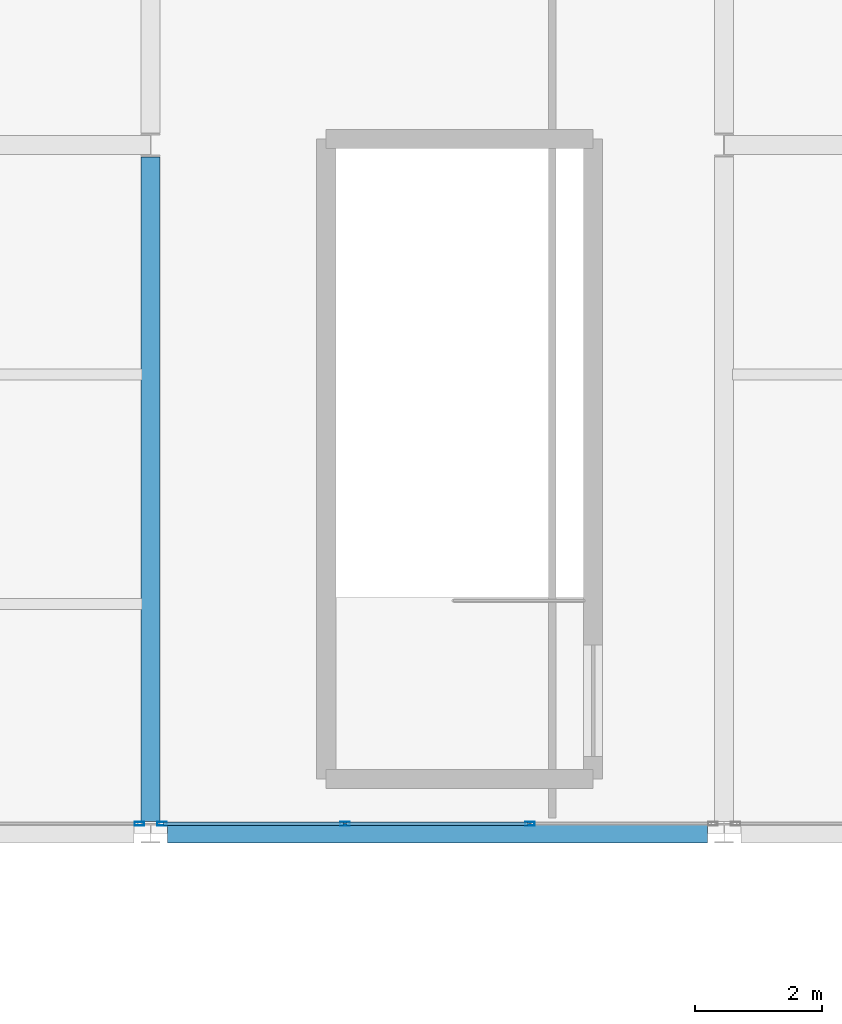
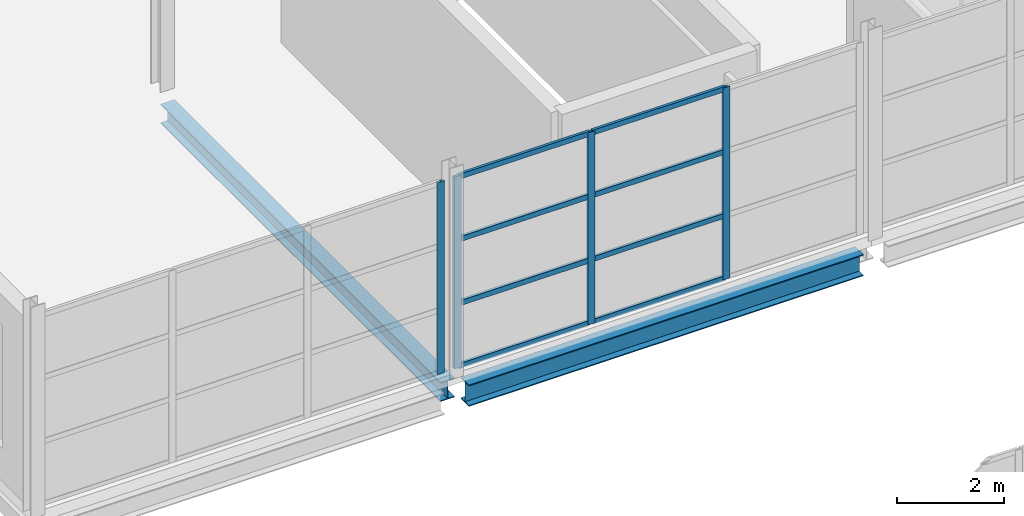
# One storey, part 43 of 134: 12 members, 2 beams, 2 elements without a shape of their own.
"""IFC4 building model written with IfcOpenShell, lengths in metres."""

import ifcopenshell
import ifcopenshell.guid

model = None  # the IFC model being written
_history = None  # IfcOwnerHistory: only IFC2X3 demands one
_inside = {}  # id of a spatial element -> (the spatial element, [elements in it])
_under = {}  # id of a project, library or spatial element -> (it, [spatial elements below it])
_declared = {}  # id of a project -> (the project, [libraries it declares])
_typed = {}  # id of a type object -> (the type object, [elements of that type])
_made_of = {}  # id of a material, layer set ... -> (it, [elements and type objects made of it])


def new_model(schema):
    """Start an empty IFC model of exactly this schema.

    Asked for "IFC4X3", IfcOpenShell would pick the latest addendum, in which some entities
    have other attributes; the version numbers below select the first issue.
    IFC2X3 requires an IfcOwnerHistory on every rooted entity: one is made here for all.
    """
    global model, _history
    if schema == "IFC4X3":
        model = ifcopenshell.file(schema_version=(4, 3, 0, 0))
    else:
        model = ifcopenshell.file(schema=schema)
    _inside.clear()
    _under.clear()
    _declared.clear()
    _typed.clear()
    _made_of.clear()
    _history = None
    if model.schema == "IFC2X3":
        org = make("IfcOrganization", Name="unknown")
        user = make(
            "IfcPersonAndOrganization",
            ThePerson=make("IfcPerson", FamilyName="unknown"),
            TheOrganization=org,
        )
        app = make(
            "IfcApplication",
            ApplicationDeveloper=org,
            Version="unknown",
            ApplicationFullName="unknown",
            ApplicationIdentifier="unknown",
        )
        _history = make(
            "IfcOwnerHistory",
            OwningUser=user,
            OwningApplication=app,
            ChangeAction="ADDED",
            CreationDate=0,
        )
    return model


def make(cls, **values):
    """One entity of the class cls with the attributes given. An attribute that is None is left unset."""
    return model.create_entity(
        cls, **{name: value for name, value in values.items() if value is not None}
    )


def rooted(cls, **values):
    """An entity with a GlobalId (a new one), such as an element, a storey or a relation."""
    return make(cls, GlobalId=ifcopenshell.guid.new(), OwnerHistory=_history, **values)


def si_unit(unit_type, name, prefix=None):
    """IfcSIUnit, for example si_unit("LENGTHUNIT", "METRE", prefix="MILLI")."""
    return make("IfcSIUnit", UnitType=unit_type, Prefix=prefix, Name=name)


def assignment(units):
    """IfcUnitAssignment: the units of a project."""
    return None if units is None else make("IfcUnitAssignment", Units=units)


def point(xyz):
    """IfcCartesianPoint."""
    return None if xyz is None else make("IfcCartesianPoint", Coordinates=xyz)


def direction(xyz):
    """IfcDirection."""
    return None if xyz is None else make("IfcDirection", DirectionRatios=xyz)


def frame(location, z_axis=None, x_axis=None):
    """IfcAxis2Placement3D, a coordinate frame: its origin and axes. An axis left out is left unset."""
    return make(
        "IfcAxis2Placement3D",
        Location=point(location),
        Axis=direction(z_axis),
        RefDirection=direction(x_axis),
    )


def frame_2d(location, x_axis=None):
    """IfcAxis2Placement2D, a coordinate frame in the plane: its origin and x axis."""
    return make(
        "IfcAxis2Placement2D", Location=point(location), RefDirection=direction(x_axis)
    )


def origin():
    """The frame at (0, 0, 0) with its axes left unset."""
    return frame((0.0, 0.0, 0.0))


def origin_2d():
    """The frame at (0, 0) in the plane with its x axis left unset."""
    return frame_2d((0.0, 0.0))


def place(relative_to, where):
    """IfcLocalPlacement: puts the frame where relative to a parent placement (None: the world)."""
    return make(
        "IfcLocalPlacement", PlacementRelTo=relative_to, RelativePlacement=where
    )


def context(
    kind, dimensions, precision=None, world=None, true_north=None, identifier=None
):
    """IfcGeometricRepresentationContext, for example the 3D "Model" context."""
    return make(
        "IfcGeometricRepresentationContext",
        ContextIdentifier=identifier,
        ContextType=kind,
        CoordinateSpaceDimension=dimensions,
        Precision=precision,
        WorldCoordinateSystem=world,
        TrueNorth=true_north,
    )


def subcontext(parent, identifier, kind, view, scale=None):
    """IfcGeometricRepresentationSubContext, for example "Body" below "Model"."""
    return make(
        "IfcGeometricRepresentationSubContext",
        ContextIdentifier=identifier,
        ContextType=kind,
        ParentContext=parent,
        TargetScale=scale,
        TargetView=view,
    )


def project(units=None, contexts=None):
    """IfcProject with its units and contexts."""
    return rooted(
        "IfcProject",
        Name="project",
        RepresentationContexts=contexts,
        UnitsInContext=assignment(units),
    )


def spatial(cls, under=None, at=None, **own):
    """A site, building, storey or space (cls), placed at a placement, below another one or the project."""
    s = rooted(cls, ObjectPlacement=at, **own)
    if under is not None:
        _under.setdefault(under.id(), (under, []))[1].append(s)
    return s


def profile(cls, at=None, kind="AREA", **sizes):
    """A parametric profile (cls). Its sizes go by their IFC names, for example OverallWidth=200.0."""
    return make(cls, ProfileType=kind, Position=at, **sizes)


def hollow_rectangle(**sizes):
    """IfcRectangleHollowProfileDef."""
    return profile("IfcRectangleHollowProfileDef", **sizes)


def i_section(**sizes):
    """IfcIShapeProfileDef."""
    return profile("IfcIShapeProfileDef", **sizes)


def extrude(swept, where, along, depth):
    """IfcExtrudedAreaSolid: the profile swept, set in the frame where, extruded along a direction by depth."""
    return make(
        "IfcExtrudedAreaSolid",
        SweptArea=swept,
        Position=where,
        ExtrudedDirection=direction(along),
        Depth=depth,
    )


def shape(context_of_items, identifier, shape_type, items):
    """IfcShapeRepresentation: the items that make up one representation, for example the "Body"."""
    return make(
        "IfcShapeRepresentation",
        ContextOfItems=context_of_items,
        RepresentationIdentifier=identifier,
        RepresentationType=shape_type,
        Items=items,
    )


def material(Name=None, Category=None):
    """IfcMaterial."""
    return make("IfcMaterial", Name=Name, Category=Category)


def layer(
    of_material, thickness, ventilated=None, Name=None, Category=None, Priority=None
):
    """IfcMaterialLayer: one layer of a wall or slab, of a material (None: an air gap)."""
    return make(
        "IfcMaterialLayer",
        Material=of_material,
        LayerThickness=thickness,
        IsVentilated=ventilated,
        Name=Name,
        Category=Category,
        Priority=Priority,
    )


def layer_set(layers, Name=None):
    """IfcMaterialLayerSet."""
    return make("IfcMaterialLayerSet", MaterialLayers=layers, LayerSetName=Name)


def material_profile(
    of_material, cross_section, Name=None, Category=None, Priority=None
):
    """IfcMaterialProfile: a cross section and its material."""
    return make(
        "IfcMaterialProfile",
        Name=Name,
        Material=of_material,
        Profile=cross_section,
        Priority=Priority,
        Category=Category,
    )


def profile_set(profiles, Name=None, composite=None):
    """IfcMaterialProfileSet."""
    return make(
        "IfcMaterialProfileSet",
        Name=Name,
        MaterialProfiles=profiles,
        CompositeProfile=composite,
    )


def made_of(thing, what):
    """Note that an element or type object is made of a material, layer set ...; save() writes the relation."""
    if what is not None:
        _made_of.setdefault(what.id(), (what, []))[1].append(thing)
    return thing


def type_object(cls, material=None, **own):
    """A type object (cls), such as IfcWallType, which elements share."""
    return made_of(rooted(cls, **own), material)


def element(
    cls,
    number,
    at=None,
    inside=None,
    cuts=None,
    type_object=None,
    material=None,
    context=None,
    identifier="Body",
    shape_type=None,
    held_by="IfcProductDefinitionShape",
    body=None,
    shapes=None,
    **own,
):
    """One element of the class cls, such as IfcWall. Its Tag is "e" and its number.

    at: its placement. inside: the storey or other place that contains it. cuts: it is an
    opening in that element (IfcRelVoidsElement). A single representation is given by context,
    identifier, shape_type and body (its items); several are given by shapes. held_by: the class
    of the entity that holds the representations. save() writes the other relations.
    """
    e = rooted(cls, Tag="e%d" % number, ObjectPlacement=at, **own)
    if body is not None:
        shapes = [shape(context, identifier, shape_type, body)]
    if shapes is not None:
        e.Representation = make(held_by, Representations=shapes)
    if inside is not None:
        _inside.setdefault(inside.id(), (inside, []))[1].append(e)
    if cuts is not None:
        rooted(
            "IfcRelVoidsElement", RelatingBuildingElement=cuts, RelatedOpeningElement=e
        )
    if type_object is not None:
        _typed.setdefault(type_object.id(), (type_object, []))[1].append(e)
    return made_of(e, material)


def aggregate(whole, parts):
    """IfcRelAggregates: a whole, such as a stair, and the parts it consists of."""
    return rooted("IfcRelAggregates", RelatingObject=whole, RelatedObjects=parts)


def save(model, path):
    """Write the relations noted so far, then the file.

    IfcRelAggregates (storeys below a building ...), IfcRelContainedInSpatialStructure (elements
    in a storey), IfcRelDefinesByType, IfcRelAssociatesMaterial and IfcRelDeclares: one each for
    every whole, place, type object, material and project.
    """
    for whole, parts in _under.values():
        aggregate(whole, parts)
    for where, things in _inside.values():
        rooted(
            "IfcRelContainedInSpatialStructure",
            RelatedElements=things,
            RelatingStructure=where,
        )
    for kind, things in _typed.values():
        rooted("IfcRelDefinesByType", RelatedObjects=things, RelatingType=kind)
    for what, things in _made_of.values():
        rooted("IfcRelAssociatesMaterial", RelatedObjects=things, RelatingMaterial=what)
    for by, libraries in _declared.values():
        rooted("IfcRelDeclares", RelatingContext=by, RelatedDefinitions=libraries)
    model.write(path)


model = new_model("IFC4")

# Units and contexts
model_context = context("Model", 3, precision=1e-05, world=origin(), true_north=direction((0.0, 1.0)))
body_context = subcontext(model_context, "Body", "Model", "MODEL_VIEW")
ifc_project = project(units=[si_unit("LENGTHUNIT", "METRE"), si_unit("AREAUNIT", "SQUARE_METRE"), si_unit("VOLUMEUNIT", "CUBIC_METRE"), si_unit("PLANEANGLEUNIT", "RADIAN"), si_unit("MASSUNIT", "GRAM", prefix="KILO")], contexts=[model_context])

# Site, building, storey
site_placement = place(None, origin())
site = spatial("IfcSite", under=ifc_project, at=site_placement, CompositionType="ELEMENT")
building_placement = place(site_placement, origin())
building = spatial("IfcBuilding", under=site, at=building_placement, Name="Tamarisk Ironworks Central Station", CompositionType="ELEMENT")
storey_placement = place(building_placement, frame((0.0, 0.0, 12.60009765625)))
storey = spatial("IfcBuildingStorey", under=building, at=storey_placement, Name="L02", CompositionType="ELEMENT", Elevation=12.60009765625)

# Beams
ifc_material_1 = material(Name="Structural steel S355J2", Category="steel")
ifc_material_profile_1 = material_profile(ifc_material_1, i_section(OverallWidth=0.300048828125, OverallDepth=0.489990234375, WebThickness=0.011962890625, FlangeThickness=0.02294921875, at=origin_2d()), Name="HEA 500")
ifc_profile_set_1 = profile_set([ifc_material_profile_1], Name="Structural steel S355J2")
beam_type_1 = type_object("IfcBeamType", Name="BM-G05", PredefinedType="BEAM", material=ifc_profile_set_1)
beam_1_placement = place(storey_placement, frame((9.262939453125, 90.0, -0.4951171875), z_axis=(1.0, 0.0, 0.0), x_axis=(0.0, 1.0, 0.0)))
element("IfcBeam", 1, at=beam_1_placement, inside=storey, type_object=beam_type_1, Name="L02 primary girder X-0369", PredefinedType="BEAM", context=body_context, shape_type="SweptSolid", body=[
    extrude(i_section(OverallWidth=0.300048828125, OverallDepth=0.489990234375, WebThickness=0.011962890625, FlangeThickness=0.02294921875, at=origin_2d()), origin(), (0.0, 0.0, 1.0), 8.47412109375),
])
ifc_material_profile_2 = material_profile(ifc_material_1, i_section(OverallWidth=0.300048828125, OverallDepth=0.43994140625, WebThickness=0.011474609375, FlangeThickness=0.02099609375, at=origin_2d()), Name="HEA 450")
ifc_profile_set_2 = profile_set([ifc_material_profile_2], Name="Structural steel S355J2")
beam_type_2 = type_object("IfcBeamType", Name="BM-G06", PredefinedType="BEAM", material=ifc_profile_set_2)
beam_2_placement = place(storey_placement, frame((9.0, 90.18798828125, -0.47021484375), z_axis=(0.0, 1.0, 0.0), x_axis=(-1.0, 0.0, 0.0)))
element("IfcBeam", 2, at=beam_2_placement, inside=storey, type_object=beam_type_2, Name="L02 primary girder Y-0427", PredefinedType="BEAM", context=body_context, shape_type="SweptSolid", body=[
    extrude(i_section(OverallWidth=0.300048828125, OverallDepth=0.43994140625, WebThickness=0.011474609375, FlangeThickness=0.02099609375, at=origin_2d()), origin(), (0.0, 0.0, 1.0), 10.424072265625),
])

# Curtain wall, member
ifc_material_2 = material(Name="Anodized aluminium alloy 6063-T6", Category="aluminium")
ifc_layer = layer(ifc_material_2, 0.179931640625)
ifc_layer_set = layer_set([ifc_layer], Name="Anodized aluminium alloy 6063-T6")
curtain_wall_type = type_object("IfcCurtainWallType", Name="CW-11", PredefinedType="USERDEFINED", material=ifc_layer_set)
curtain_wall_1_placement = place(storey_placement, origin())
curtain_wall_1 = element("IfcCurtainWall", 3, at=curtain_wall_1_placement, inside=storey, type_object=curtain_wall_type, Name="Pavilion L02 S glazed arcade 00", ObjectType="GLAZED CURTAIN WALL", PredefinedType="USERDEFINED")
ifc_material_profile_3 = material_profile(ifc_material_2, hollow_rectangle(XDim=0.06005859375, YDim=0.14990234375, WallThickness=0.00341796875, at=origin_2d()), Name="ALUM 150x60")
ifc_profile_set_3 = profile_set([ifc_material_profile_3], Name="Anodized aluminium alloy 6063-T6")
member_type_1 = type_object("IfcMemberType", Name="CWM-03", PredefinedType="MULLION", material=ifc_profile_set_3)
member_1_placement = place(storey_placement, frame((8.822021484375, 90.14990234375, 0.0), z_axis=(0.0, 0.0, 1.0), x_axis=(0.0, 1.0, 0.0)))
member_1 = element("IfcMember", 4, at=member_1_placement, type_object=member_type_1, Name="CW11 mullion 4", PredefinedType="MULLION", context=body_context, shape_type="SweptSolid", body=[
    extrude(hollow_rectangle(XDim=0.06005859375, YDim=0.14990234375, WallThickness=0.00341796875, at=origin_2d()), origin(), (0.0, 0.0, 1.0), 4.35986328125),
])
aggregate(curtain_wall_1, [member_1])

# Curtain wall, members
curtain_wall_2_placement = place(storey_placement, origin())
curtain_wall_2 = element("IfcCurtainWall", 5, at=curtain_wall_2_placement, inside=storey, type_object=curtain_wall_type, Name="Pavilion L02 S glazed arcade 09", ObjectType="GLAZED CURTAIN WALL", PredefinedType="USERDEFINED")
member_2_placement = place(storey_placement, frame((9.177978515625, 90.14990234375, 0.0), z_axis=(0.0, 0.0, 1.0), x_axis=(0.0, 1.0, 0.0)))
member_2 = element("IfcMember", 6, at=member_2_placement, type_object=member_type_1, Name="CW11 mullion 1", PredefinedType="MULLION", context=body_context, shape_type="SweptSolid", body=[
    extrude(hollow_rectangle(XDim=0.06005859375, YDim=0.14990234375, WallThickness=0.00341796875, at=origin_2d()), origin(), (0.0, 0.0, 1.0), 4.35986328125),
])
member_3_placement = place(storey_placement, frame((12.04931640625, 90.14990234375, 0.0), z_axis=(0.0, 0.0, 1.0), x_axis=(0.0, 1.0, 0.0)))
member_3 = element("IfcMember", 7, at=member_3_placement, type_object=member_type_1, Name="CW11 mullion 2", PredefinedType="MULLION", context=body_context, shape_type="SweptSolid", body=[
    extrude(hollow_rectangle(XDim=0.06005859375, YDim=0.14990234375, WallThickness=0.00341796875, at=origin_2d()), origin(), (0.0, 0.0, 1.0), 4.35986328125),
])
member_4_placement = place(storey_placement, frame((14.95068359375, 90.14990234375, 0.0), z_axis=(0.0, 0.0, 1.0), x_axis=(0.0, 1.0, 0.0)))
member_4 = element("IfcMember", 8, at=member_4_placement, type_object=member_type_1, Name="CW11 mullion 3", PredefinedType="MULLION", context=body_context, shape_type="SweptSolid", body=[
    extrude(hollow_rectangle(XDim=0.06005859375, YDim=0.14990234375, WallThickness=0.00341796875, at=origin_2d()), origin(), (0.0, 0.0, 1.0), 4.35986328125),
])
ifc_material_profile_4 = material_profile(ifc_material_2, hollow_rectangle(XDim=0.06005859375, YDim=0.114990234375, WallThickness=0.00341796875, at=origin_2d()), Name="ALUM 115x60")
ifc_profile_set_4 = profile_set([ifc_material_profile_4], Name="Anodized aluminium alloy 6063-T6")
member_type_2 = type_object("IfcMemberType", Name="CWT-03", PredefinedType="USERDEFINED", material=ifc_profile_set_4)
member_5_placement = place(storey_placement, frame((9.2041015625, 90.14990234375, 0.02978515625), z_axis=(1.0, 0.0, 0.0), x_axis=(0.0, 1.0, 0.0)))
member_5 = element("IfcMember", 9, at=member_5_placement, type_object=member_type_2, Name="CW11 transom 1.1", ObjectType="TRANSOM", PredefinedType="USERDEFINED", context=body_context, shape_type="SweptSolid", body=[
    extrude(hollow_rectangle(XDim=0.06005859375, YDim=0.114990234375, WallThickness=0.00341796875, at=origin_2d()), origin(), (0.0, 0.0, 1.0), 2.8193359375),
])
member_6_placement = place(storey_placement, frame((9.2041015625, 90.14990234375, 1.453125), z_axis=(1.0, 0.0, 0.0), x_axis=(0.0, 1.0, 0.0)))
member_6 = element("IfcMember", 10, at=member_6_placement, type_object=member_type_2, Name="CW11 transom 1.2", ObjectType="TRANSOM", PredefinedType="USERDEFINED", context=body_context, shape_type="SweptSolid", body=[
    extrude(hollow_rectangle(XDim=0.06005859375, YDim=0.114990234375, WallThickness=0.00341796875, at=origin_2d()), origin(), (0.0, 0.0, 1.0), 2.8193359375),
])
member_7_placement = place(storey_placement, frame((9.2041015625, 90.14990234375, 2.906494140625), z_axis=(1.0, 0.0, 0.0), x_axis=(0.0, 1.0, 0.0)))
member_7 = element("IfcMember", 11, at=member_7_placement, type_object=member_type_2, Name="CW11 transom 1.3", ObjectType="TRANSOM", PredefinedType="USERDEFINED", context=body_context, shape_type="SweptSolid", body=[
    extrude(hollow_rectangle(XDim=0.06005859375, YDim=0.114990234375, WallThickness=0.00341796875, at=origin_2d()), origin(), (0.0, 0.0, 1.0), 2.8193359375),
])
member_8_placement = place(storey_placement, frame((9.2041015625, 90.14990234375, 4.329833984375), z_axis=(1.0, 0.0, 0.0), x_axis=(0.0, 1.0, 0.0)))
member_8 = element("IfcMember", 12, at=member_8_placement, type_object=member_type_2, Name="CW11 transom 1.4", ObjectType="TRANSOM", PredefinedType="USERDEFINED", context=body_context, shape_type="SweptSolid", body=[
    extrude(hollow_rectangle(XDim=0.06005859375, YDim=0.114990234375, WallThickness=0.00341796875, at=origin_2d()), origin(), (0.0, 0.0, 1.0), 2.8193359375),
])
member_9_placement = place(storey_placement, frame((12.075439453125, 90.14990234375, 0.02978515625), z_axis=(1.0, 0.0, 0.0), x_axis=(0.0, 1.0, 0.0)))
member_9 = element("IfcMember", 13, at=member_9_placement, type_object=member_type_2, Name="CW11 transom 2.1", ObjectType="TRANSOM", PredefinedType="USERDEFINED", context=body_context, shape_type="SweptSolid", body=[
    extrude(hollow_rectangle(XDim=0.06005859375, YDim=0.114990234375, WallThickness=0.00341796875, at=origin_2d()), origin(), (0.0, 0.0, 1.0), 2.84912109375),
])
member_10_placement = place(storey_placement, frame((12.075439453125, 90.14990234375, 1.453125), z_axis=(1.0, 0.0, 0.0), x_axis=(0.0, 1.0, 0.0)))
member_10 = element("IfcMember", 14, at=member_10_placement, type_object=member_type_2, Name="CW11 transom 2.2", ObjectType="TRANSOM", PredefinedType="USERDEFINED", context=body_context, shape_type="SweptSolid", body=[
    extrude(hollow_rectangle(XDim=0.06005859375, YDim=0.114990234375, WallThickness=0.00341796875, at=origin_2d()), origin(), (0.0, 0.0, 1.0), 2.84912109375),
])
member_11_placement = place(storey_placement, frame((12.075439453125, 90.14990234375, 2.906494140625), z_axis=(1.0, 0.0, 0.0), x_axis=(0.0, 1.0, 0.0)))
member_11 = element("IfcMember", 15, at=member_11_placement, type_object=member_type_2, Name="CW11 transom 2.3", ObjectType="TRANSOM", PredefinedType="USERDEFINED", context=body_context, shape_type="SweptSolid", body=[
    extrude(hollow_rectangle(XDim=0.06005859375, YDim=0.114990234375, WallThickness=0.00341796875, at=origin_2d()), origin(), (0.0, 0.0, 1.0), 2.84912109375),
])
member_12_placement = place(storey_placement, frame((12.075439453125, 90.14990234375, 4.329833984375), z_axis=(1.0, 0.0, 0.0), x_axis=(0.0, 1.0, 0.0)))
member_12 = element("IfcMember", 16, at=member_12_placement, type_object=member_type_2, Name="CW11 transom 2.4", ObjectType="TRANSOM", PredefinedType="USERDEFINED", context=body_context, shape_type="SweptSolid", body=[
    extrude(hollow_rectangle(XDim=0.06005859375, YDim=0.114990234375, WallThickness=0.00341796875, at=origin_2d()), origin(), (0.0, 0.0, 1.0), 2.84912109375),
])
aggregate(curtain_wall_2, [member_2, member_3, member_4, member_5, member_6, member_7, member_8, member_9, member_10, member_11, member_12])

save(model, "model.ifc")
